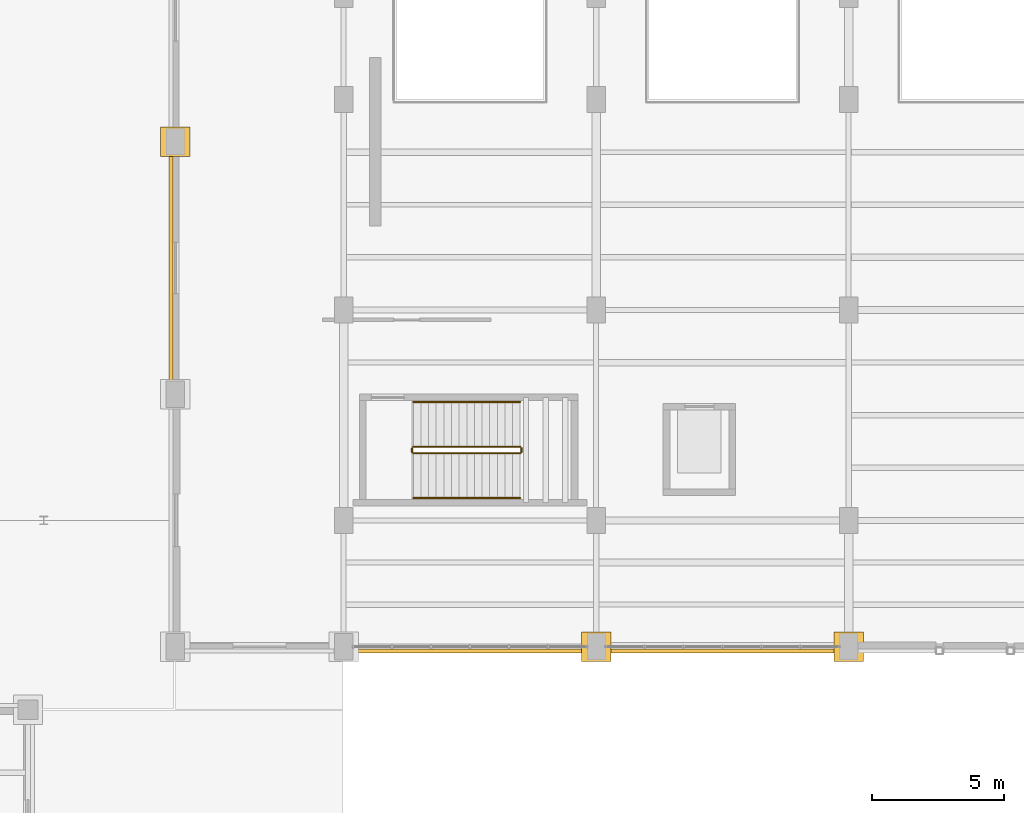
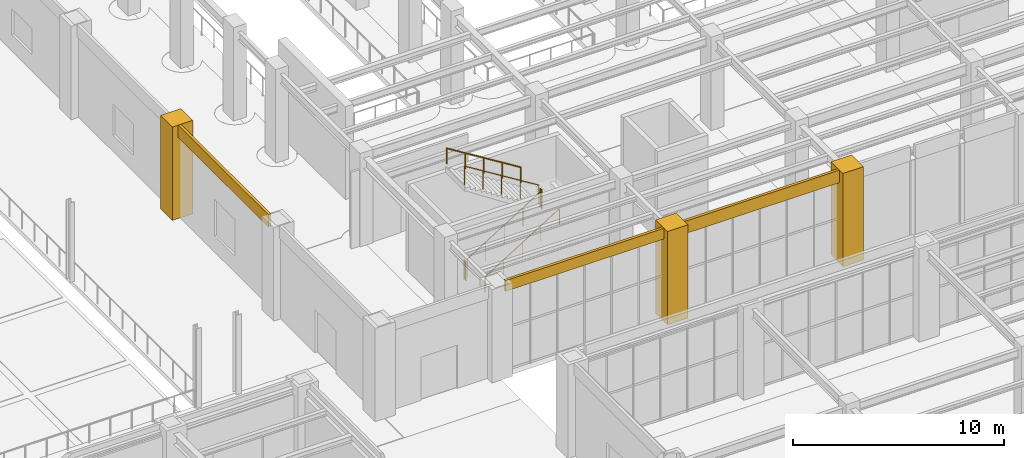
# One storey, part 152 of 164: 6 coverings, 6 railings.
"""IFC4 building model written with IfcOpenShell, lengths in metres."""

from ifc_helpers import new_model, si_unit, direction, frame, origin, origin_2d, place, context, subcontext, project, spatial, polyline, circle, outline, extrude, material, layer, layer_set, type_object, element, save


model = new_model("IFC4")

# Units and contexts
model_context = context("Model", 3, precision=1e-05, world=origin(), true_north=direction((0.0, 1.0)))
body_context = subcontext(model_context, "Body", "Model", "MODEL_VIEW")
ifc_project = project(units=[si_unit("LENGTHUNIT", "METRE"), si_unit("AREAUNIT", "SQUARE_METRE"), si_unit("VOLUMEUNIT", "CUBIC_METRE"), si_unit("PLANEANGLEUNIT", "RADIAN"), si_unit("MASSUNIT", "GRAM", prefix="KILO")], contexts=[model_context])

# Site, building, storey
site_placement = place(None, origin())
site = spatial("IfcSite", under=ifc_project, at=site_placement, CompositionType="ELEMENT")
building_placement = place(site_placement, origin())
building = spatial("IfcBuilding", under=site, at=building_placement, Name="Mavantir Sound Aquarium", CompositionType="ELEMENT")
storey_placement = place(building_placement, origin())
storey = spatial("IfcBuildingStorey", under=building, at=storey_placement, Name="L00", CompositionType="ELEMENT", Elevation=0.0)

# Coverings
ifc_material_1 = material(Name="Honed Coral-Limestone & Glazed Terracotta Rainscreen Cladding", Category="masonry")
ifc_layer = layer(ifc_material_1, 0.06005859375, Name="Honed Coral-Limestone & Glazed Terracotta Rainscreen Cladding")
ifc_layer_set = layer_set([ifc_layer], Name="Honed Coral-Limestone & Glazed Terracotta Rainscreen Cladding")
covering_type = type_object("IfcCoveringType", Name="COV-CLAD-TC", PredefinedType="CLADDING", material=ifc_layer_set)
covering_1_placement = place(storey_placement, frame((0.0, 0.0, 4.68603515625)))
element("IfcCovering", 1, at=covering_1_placement, inside=storey, type_object=covering_type, Name="L00 Postmodern coral-limestone spandrel frieze 79", PredefinedType="CLADDING", context=body_context, shape_type="SweptSolid", body=[
    extrude(outline(polyline([(101.510009765625, 54.69189453125), (101.510009765625, 46.10791015625), (101.360107421875, 46.10791015625), (101.360107421875, 54.69189453125), (101.510009765625, 54.69189453125)])), origin(), (0.0, 0.0, 1.0), 0.7138671875),
])
covering_2_placement = place(storey_placement, frame((0.0, 0.0, 4.782958984375)))
element("IfcCovering", 2, at=covering_2_placement, inside=storey, type_object=covering_type, Name="L00 Postmodern coral-limestone spandrel frieze 82", PredefinedType="CLADDING", context=body_context, shape_type="SweptSolid", body=[
    extrude(outline(polyline([(108.35791015625, 35.909912109375), (117.241943359375, 35.909912109375), (117.241943359375, 35.760009765625), (108.35791015625, 35.760009765625), (108.35791015625, 35.909912109375)])), origin(), (0.0, 0.0, 1.0), 0.616943359375),
])
covering_3_placement = place(storey_placement, frame((0.0, 0.0, 4.677978515625)))
element("IfcCovering", 3, at=covering_3_placement, inside=storey, type_object=covering_type, Name="L00 Postmodern coral-limestone spandrel frieze 83", PredefinedType="CLADDING", context=body_context, shape_type="SweptSolid", body=[
    extrude(outline(polyline([(117.9580078125, 35.909912109375), (126.842041015625, 35.909912109375), (126.842041015625, 35.760009765625), (117.9580078125, 35.760009765625), (117.9580078125, 35.909912109375)])), origin(), (0.0, 0.0, 1.0), 0.721923828125),
])
covering_4_placement = place(storey_placement, origin())
element("IfcCovering", 4, at=covering_4_placement, inside=storey, type_object=covering_type, Name="L00 Postmodern coral-limestone pilaster casing 215", PredefinedType="CLADDING", context=body_context, shape_type="SweptSolid", body=[
    extrude(outline(polyline([(101.0400390625, 54.639892578125), (102.159912109375, 54.639892578125), (102.159912109375, 55.760009765625), (101.0400390625, 55.760009765625), (101.0400390625, 54.639892578125)])), origin(), (0.0, 0.0, 1.0), 5.39990234375),
])
covering_5_placement = place(storey_placement, origin())
element("IfcCovering", 5, at=covering_5_placement, inside=storey, type_object=covering_type, Name="L00 Postmodern coral-limestone pilaster casing 251", PredefinedType="CLADDING", context=body_context, shape_type="SweptSolid", body=[
    extrude(outline(polyline([(117.0400390625, 35.43994140625), (118.159912109375, 35.43994140625), (118.159912109375, 36.56005859375), (117.0400390625, 36.56005859375), (117.0400390625, 35.43994140625)])), origin(), (0.0, 0.0, 1.0), 5.39990234375),
])
covering_6_placement = place(storey_placement, origin())
element("IfcCovering", 6, at=covering_6_placement, inside=storey, type_object=covering_type, Name="L00 Postmodern coral-limestone pilaster casing 263", PredefinedType="CLADDING", context=body_context, shape_type="SweptSolid", body=[
    extrude(outline(polyline([(126.639892578125, 35.43994140625), (127.760009765625, 35.43994140625), (127.760009765625, 36.56005859375), (126.639892578125, 36.56005859375), (126.639892578125, 35.43994140625)])), origin(), (0.0, 0.0, 1.0), 5.39990234375),
])

# Railings
ifc_material_2 = material(Name="Stainless Steel 316 and Laminated Glass Guardrail", Category="steel")
railing_type_1 = type_object("IfcRailingType", Name="RL-GUARD-110", PredefinedType="GUARDRAIL", material=ifc_material_2)
railing_1_placement = place(storey_placement, frame((110.64990234375, 43.35009765625, 0.179931640625)))
element("IfcRailing", 7, at=railing_1_placement, inside=storey, type_object=railing_type_1, Name="L00 ST4 stair guard 1", PredefinedType="GUARDRAIL", context=body_context, shape_type="SweptSolid", body=[
    extrude(circle(Radius=0.02392578125, at=origin_2d()), frame((0.0, 0.0, 1.076171875), z_axis=(0.849641744969, 0.0, 0.527360318194), x_axis=(0.0, 1.0, 0.0)), (0.0, 0.0, 1.0), 4.778564453125),
    extrude(circle(Radius=0.02099609375, at=origin_2d()), origin(), (0.0, 0.0, 1.0), 1.052001953125),
    extrude(circle(Radius=0.02099609375, at=origin_2d()), frame((1.01513671875, 0.0, 0.6298828125)), (0.0, 0.0, 1.0), 1.052001953125),
    extrude(circle(Radius=0.02099609375, at=origin_2d()), frame((2.030029296875, 0.0, 1.260009765625)), (0.0, 0.0, 1.0), 1.052001953125),
    extrude(circle(Radius=0.02099609375, at=origin_2d()), frame((3.044921875, 0.0, 1.89013671875)), (0.0, 0.0, 1.0), 1.052001953125),
    extrude(circle(Radius=0.02099609375, at=origin_2d()), frame((4.06005859375, 0.0, 2.52001953125)), (0.0, 0.0, 1.0), 1.052001953125),
])
railing_2_placement = place(storey_placement, frame((114.760009765625, 43.39990234375, 2.699951171875)))
element("IfcRailing", 8, at=railing_2_placement, inside=storey, type_object=railing_type_1, Name="L00 ST4 stair guard 2", PredefinedType="GUARDRAIL", context=body_context, shape_type="SweptSolid", body=[
    extrude(circle(Radius=0.02392578125, at=origin_2d()), frame((0.0, 0.0, 1.076171875), z_axis=(0.0, 1.0, 0.0), x_axis=(-1.0, 0.0, 0.0)), (0.0, 0.0, 1.0), 0.150146484375),
    extrude(circle(Radius=0.02099609375, at=origin_2d()), origin(), (0.0, 0.0, 1.0), 1.052001953125),
    extrude(circle(Radius=0.02099609375, at=origin_2d()), frame((0.0, 0.150146484375, 0.0)), (0.0, 0.0, 1.0), 1.052001953125),
])
railing_3_placement = place(storey_placement, frame((114.7099609375, 43.60009765625, 2.8798828125)))
element("IfcRailing", 9, at=railing_3_placement, inside=storey, type_object=railing_type_1, Name="L00 ST4 stair guard 3", PredefinedType="GUARDRAIL", context=body_context, shape_type="SweptSolid", body=[
    extrude(circle(Radius=0.02392578125, at=origin_2d()), frame((0.0, 0.0, 1.076171875), z_axis=(-0.849641744969, 0.0, 0.527360318194), x_axis=(0.0, -1.0, 0.0)), (0.0, 0.0, 1.0), 4.778564453125),
    extrude(circle(Radius=0.02099609375, at=origin_2d()), origin(), (0.0, 0.0, 1.0), 1.052001953125),
    extrude(circle(Radius=0.02099609375, at=origin_2d()), frame((-1.01513671875, 0.0, 0.6298828125)), (0.0, 0.0, 1.0), 1.052001953125),
    extrude(circle(Radius=0.02099609375, at=origin_2d()), frame((-2.030029296875, 0.0, 1.260009765625)), (0.0, 0.0, 1.0), 1.052001953125),
    extrude(circle(Radius=0.02099609375, at=origin_2d()), frame((-3.044921875, 0.0, 1.89013671875)), (0.0, 0.0, 1.0), 1.052001953125),
    extrude(circle(Radius=0.02099609375, at=origin_2d()), frame((-4.06005859375, 0.0, 2.52001953125)), (0.0, 0.0, 1.0), 1.052001953125),
])
railing_4_placement = place(storey_placement, frame((110.60009765625, 43.39990234375, 0.0)))
element("IfcRailing", 10, at=railing_4_placement, inside=storey, type_object=railing_type_1, Name="L00 ST4 stair guard 4", PredefinedType="GUARDRAIL", context=body_context, shape_type="SweptSolid", body=[
    extrude(circle(Radius=0.02392578125, at=origin_2d()), frame((0.0, 0.0, 1.076171875), z_axis=(0.0, 1.0, 0.0), x_axis=(-1.0, 0.0, 0.0)), (0.0, 0.0, 1.0), 0.150146484375),
    extrude(circle(Radius=0.02099609375, at=origin_2d()), origin(), (0.0, 0.0, 1.0), 1.052001953125),
    extrude(circle(Radius=0.02099609375, at=origin_2d()), frame((0.0, 0.150146484375, 0.0)), (0.0, 0.0, 1.0), 1.052001953125),
])
ifc_material_3 = material(Name="Brushed Stainless Steel 316 Handrail", Category="steel")
railing_type_2 = type_object("IfcRailingType", Name="RL-HR-90", PredefinedType="HANDRAIL", material=ifc_material_3)
railing_5_placement = place(storey_placement, frame((110.64990234375, 41.64990234375, 0.364990234375)))
element("IfcRailing", 11, at=railing_5_placement, inside=storey, type_object=railing_type_2, Name="L00 ST4 stair handrail 1", PredefinedType="HANDRAIL", context=body_context, shape_type="SweptSolid", body=[
    extrude(circle(Radius=0.02392578125, at=origin_2d()), frame((0.0, 0.0, 0.89111328125), z_axis=(0.849641744969, 0.0, 0.527360318194), x_axis=(0.0, 1.0, 0.0)), (0.0, 0.0, 1.0), 4.778564453125),
    extrude(circle(Radius=0.02099609375, at=origin_2d()), origin(), (0.0, 0.0, 1.0), 0.866943359375),
    extrude(circle(Radius=0.02099609375, at=origin_2d()), frame((1.01513671875, 0.0, 0.6298828125)), (0.0, 0.0, 1.0), 0.866943359375),
    extrude(circle(Radius=0.02099609375, at=origin_2d()), frame((2.030029296875, 0.0, 1.260009765625)), (0.0, 0.0, 1.0), 0.866943359375),
    extrude(circle(Radius=0.02099609375, at=origin_2d()), frame((3.044921875, 0.0, 1.89013671875)), (0.0, 0.0, 1.0), 0.866943359375),
    extrude(circle(Radius=0.02099609375, at=origin_2d()), frame((4.06005859375, 0.0, 2.52001953125)), (0.0, 0.0, 1.0), 0.866943359375),
])
railing_6_placement = place(storey_placement, frame((114.7099609375, 45.300048828125, 3.06494140625)))
element("IfcRailing", 12, at=railing_6_placement, inside=storey, type_object=railing_type_2, Name="L00 ST4 stair handrail 2", PredefinedType="HANDRAIL", context=body_context, shape_type="SweptSolid", body=[
    extrude(circle(Radius=0.02392578125, at=origin_2d()), frame((0.0, 0.0, 0.89111328125), z_axis=(-0.849641744969, 0.0, 0.527360318194), x_axis=(0.0, -1.0, 0.0)), (0.0, 0.0, 1.0), 4.778564453125),
    extrude(circle(Radius=0.02099609375, at=origin_2d()), origin(), (0.0, 0.0, 1.0), 0.866943359375),
    extrude(circle(Radius=0.02099609375, at=origin_2d()), frame((-1.01513671875, 0.0, 0.6298828125)), (0.0, 0.0, 1.0), 0.866943359375),
    extrude(circle(Radius=0.02099609375, at=origin_2d()), frame((-2.030029296875, 0.0, 1.260009765625)), (0.0, 0.0, 1.0), 0.866943359375),
    extrude(circle(Radius=0.02099609375, at=origin_2d()), frame((-3.044921875, 0.0, 1.89013671875)), (0.0, 0.0, 1.0), 0.866943359375),
    extrude(circle(Radius=0.02099609375, at=origin_2d()), frame((-4.06005859375, 0.0, 2.52001953125)), (0.0, 0.0, 1.0), 0.866943359375),
])

save(model, "model.ifc")
